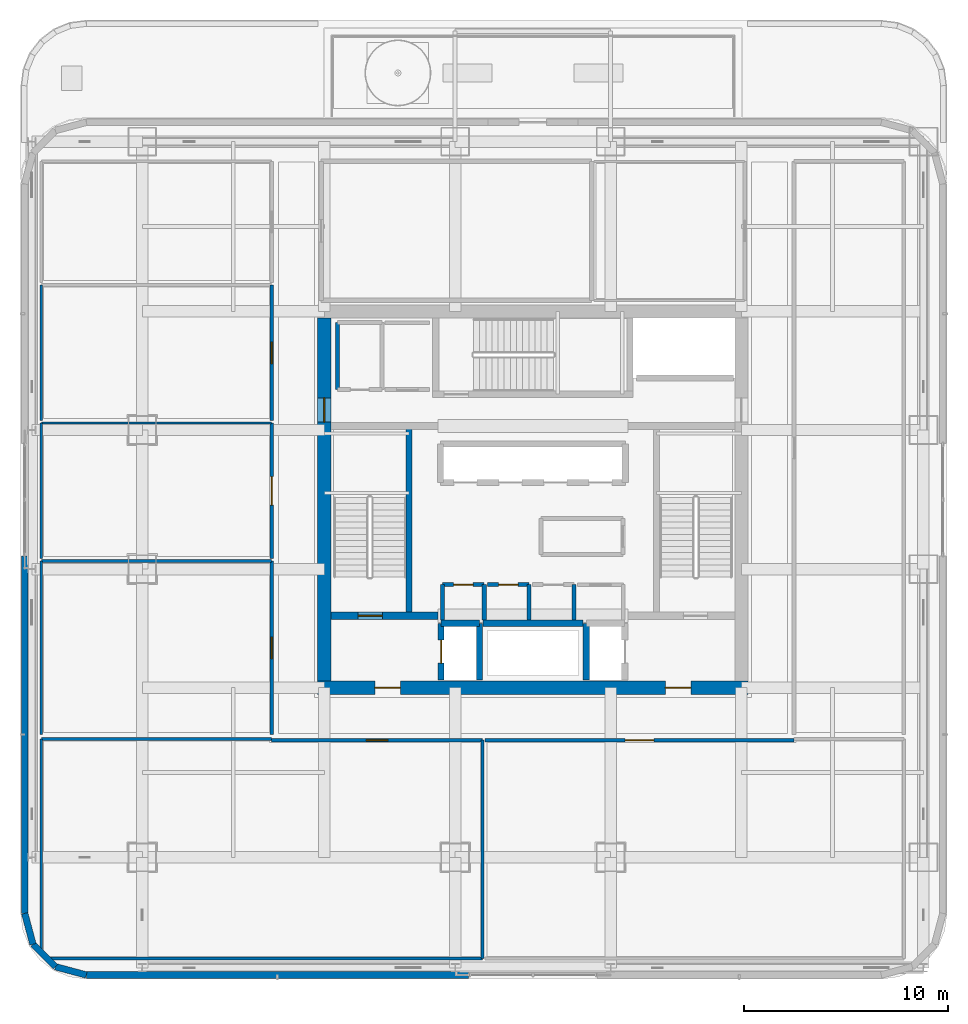
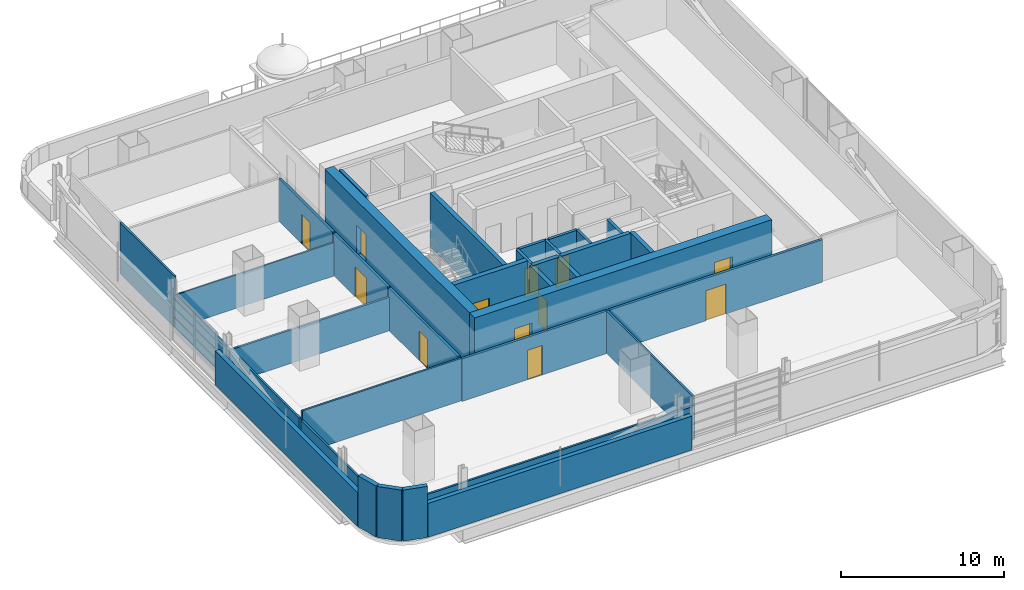
# One storey, part 10 of 29: 35 walls, 12 doors, 12 openings.
"""IFC4 building model written with IfcOpenShell, lengths in metres."""

from ifc_helpers import new_model, si_unit, direction, frame, frame_2d, origin, place, context, subcontext, project, spatial, rectangle, extrude, material, layer, layer_set, type_object, element, fill, save


model = new_model("IFC4")

# Units and contexts
model_context = context("Model", 3, precision=1e-05, world=origin(), true_north=direction((0.0, 1.0)))
body_context = subcontext(model_context, "Body", "Model", "MODEL_VIEW")
ifc_project = project(units=[si_unit("LENGTHUNIT", "METRE"), si_unit("AREAUNIT", "SQUARE_METRE"), si_unit("VOLUMEUNIT", "CUBIC_METRE"), si_unit("PLANEANGLEUNIT", "RADIAN"), si_unit("MASSUNIT", "GRAM", prefix="KILO")], contexts=[model_context])

# Site, building, storey
site_placement = place(None, origin())
site = spatial("IfcSite", under=ifc_project, at=site_placement, CompositionType="ELEMENT")
building_placement = place(site_placement, origin())
building = spatial("IfcBuilding", under=site, at=building_placement, Name="Punatoya Terracotta Tower", CompositionType="ELEMENT")
storey_placement = place(building_placement, frame((0.0, 0.0, 172.199951171875)))
storey = spatial("IfcBuildingStorey", under=building, at=storey_placement, Name="L40", CompositionType="ELEMENT", Elevation=172.199951171875)

# Wall, openings, doors
ifc_material_1 = material(Name="Concrete C60/75", Category="concrete")
ifc_layer_1 = layer(ifc_material_1, 0.64990234375)
ifc_layer_set_1 = layer_set([ifc_layer_1], Name="Concrete C60/75")
wall_type_1 = type_object("IfcWallType", Name="WL-COR-650", PredefinedType="SHEAR", material=ifc_layer_set_1)
wall_1_placement = place(storey_placement, frame((10.52490234375, -9.199951171875, 0.0), z_axis=(0.0, 0.0, 1.0), x_axis=(-1.0, 0.0, 0.0)))
wall_1 = element("IfcWall", 1, at=wall_1_placement, inside=storey, type_object=wall_type_1, Name="L40 Core Shear Wall S", PredefinedType="SHEAR", context=body_context, shape_type="SweptSolid", body=[
    extrude(rectangle(XDim=21.0498046875, YDim=0.64990234375, at=frame_2d((10.52490234375, 0.0))), origin(), (0.0, 0.0, 1.0), 4.050048828125),
])
opening_1_placement = place(wall_1_placement, frame((2.800048828125, 0.0, 0.0)))
opening_1 = element("IfcOpeningElement", 2, at=opening_1_placement, cuts=wall_1, Name="Opening FD-L1", PredefinedType="OPENING", context=body_context, shape_type="SweptSolid", body=[
    extrude(rectangle(XDim=1.25, YDim=2.25, at=frame_2d((0.625, 1.125))), frame((0.0, 0.3349609375, 0.0), z_axis=(0.0, -1.0, 0.0), x_axis=(1.0, 0.0, 0.0)), (0.0, 0.0, 1.0), 0.669921875),
])
opening_2_placement = place(wall_1_placement, frame((17.0, 0.0, 0.0)))
opening_2 = element("IfcOpeningElement", 3, at=opening_2_placement, cuts=wall_1, Name="Opening FD-L1", PredefinedType="OPENING", context=body_context, shape_type="SweptSolid", body=[
    extrude(rectangle(XDim=1.25, YDim=2.25, at=frame_2d((0.625, 1.125))), frame((0.0, 0.3349609375, 0.0), z_axis=(0.0, -1.0, 0.0), x_axis=(1.0, 0.0, 0.0)), (0.0, 0.0, 1.0), 0.669921875),
])
ifc_material_2 = material(Name="Galvanised Steel Smokeproof Fire Door", Category="steel")
door_type_1 = type_object("IfcDoorType", Name="DR-FFL-1250", OperationType="NOTDEFINED", PredefinedType="DOOR", material=ifc_material_2)
door_1_placement = place(opening_1_placement, origin())
door_1 = element("IfcDoor", 4, at=door_1_placement, inside=storey, type_object=door_type_1, Name="L40 East Firefighting Lobby Corridor Fire Door", OperationType="SINGLE_SWING_LEFT", OverallHeight=2.25, OverallWidth=1.25, PredefinedType="DOOR", context=body_context, shape_type="SweptSolid", body=[
    extrude(rectangle(XDim=1.25, YDim=2.25, at=frame_2d((0.625, 1.125))), frame((0.0, 0.02490234375, 0.0), z_axis=(0.0, -1.0, 0.0), x_axis=(1.0, 0.0, 0.0)), (0.0, 0.0, 1.0), 0.050048828125),
])
fill(opening_1, door_1)
door_2_placement = place(opening_2_placement, origin())
door_2 = element("IfcDoor", 5, at=door_2_placement, inside=storey, type_object=door_type_1, Name="L40 West Firefighting Lobby Corridor Fire Door", OperationType="SINGLE_SWING_RIGHT", OverallHeight=2.25, OverallWidth=1.25, PredefinedType="DOOR", context=body_context, shape_type="SweptSolid", body=[
    extrude(rectangle(XDim=1.25, YDim=2.25, at=frame_2d((0.625, 1.125))), frame((0.0, 0.02490234375, 0.0), z_axis=(0.0, -1.0, 0.0), x_axis=(1.0, 0.0, 0.0)), (0.0, 0.0, 1.0), 0.050048828125),
])
fill(opening_2, door_2)

# Wall, opening, door
wall_2_placement = place(storey_placement, frame((-10.199951171875, -8.875, 0.0), z_axis=(0.0, 0.0, 1.0), x_axis=(0.0, 1.0, 0.0)))
wall_2 = element("IfcWall", 6, at=wall_2_placement, inside=storey, type_object=wall_type_1, Name="L40 Core Shear Wall W", PredefinedType="SHEAR", context=body_context, shape_type="SweptSolid", body=[
    extrude(rectangle(XDim=17.75, YDim=0.64990234375, at=frame_2d((8.875, 0.0))), origin(), (0.0, 0.0, 1.0), 4.050048828125),
])
opening_3_placement = place(wall_2_placement, frame((12.6650390625, 0.0, 0.0)))
opening_3 = element("IfcOpeningElement", 7, at=opening_3_placement, cuts=wall_2, Name="Opening SD-01", PredefinedType="OPENING", context=body_context, shape_type="SweptSolid", body=[
    extrude(rectangle(XDim=1.179931640625, YDim=2.199951171875, at=frame_2d((0.58984375, 1.10009765625))), frame((0.0, 0.3349609375, 0.0), z_axis=(0.0, -1.0, 0.0), x_axis=(1.0, 0.0, 0.0)), (0.0, 0.0, 1.0), 0.669921875),
])
ifc_material_3 = material(Name="Galvanised Steel Pressurized Stair Fire Door", Category="steel")
door_type_2 = type_object("IfcDoorType", Name="DR-STR-1180", OperationType="NOTDEFINED", PredefinedType="DOOR", material=ifc_material_3)
door_3_placement = place(opening_3_placement, origin())
door_3 = element("IfcDoor", 8, at=door_3_placement, inside=storey, type_object=door_type_2, Name="L40 Central Lift Lobby West Fire Door", OperationType="SINGLE_SWING_LEFT", OverallHeight=2.199951171875, OverallWidth=1.179931640625, PredefinedType="DOOR", context=body_context, shape_type="SweptSolid", body=[
    extrude(rectangle(XDim=1.179931640625, YDim=2.199951171875, at=frame_2d((0.58984375, 1.10009765625))), frame((0.0, 0.02490234375, 0.0), z_axis=(0.0, -1.0, 0.0), x_axis=(1.0, 0.0, 0.0)), (0.0, 0.0, 1.0), 0.050048828125),
])
fill(opening_3, door_3)

ifc_material_4 = material(Name="Gypsum Fireboard + Steel Stud", Category="steel")
ifc_layer_2 = layer(ifc_material_4, 0.179931640625)
ifc_layer_set_2 = layer_set([ifc_layer_2], Name="Gypsum Fireboard + Steel Stud")
wall_type_2 = type_object("IfcWallType", Name="WL-CORR-180", PredefinedType="PARTITIONING", material=ifc_layer_set_2)
wall_3_placement = place(storey_placement, frame((-12.77001953125, -11.77001953125, 0.0), z_axis=(0.0, 0.0, 1.0), x_axis=(1.0, 0.0, 0.0)))
wall_3 = element("IfcWall", 9, at=wall_3_placement, inside=storey, type_object=wall_type_2, Name="L40 Client Media Salon Partition 20", PredefinedType="PARTITIONING", context=body_context, shape_type="SweptSolid", body=[
    extrude(rectangle(XDim=10.31005859375, YDim=0.179931640625, at=frame_2d((5.155029296875, 0.0))), origin(), (0.0, 0.0, 1.0), 3.174072265625),
])
opening_4_placement = place(wall_3_placement, frame((4.6298828125, 0.0, 0.0)))
opening_4 = element("IfcOpeningElement", 10, at=opening_4_placement, cuts=wall_3, Name="Opening OD-01", PredefinedType="OPENING", context=body_context, shape_type="SweptSolid", body=[
    extrude(rectangle(XDim=1.050048828125, YDim=2.199951171875, at=frame_2d((0.52490234375, 1.10009765625))), frame((0.0, 0.099853515625, 0.0), z_axis=(0.0, -1.0, 0.0), x_axis=(1.0, 0.0, 0.0)), (0.0, 0.0, 1.0), 0.199951171875),
])
ifc_material_5 = material(Name="Bengal Teak Solid-Core Leaf")
door_type_3 = type_object("IfcDoorType", Name="DR-OFF-1050", OperationType="NOTDEFINED", PredefinedType="DOOR", material=ifc_material_5)
door_4_placement = place(opening_4_placement, origin())
door_4 = element("IfcDoor", 11, at=door_4_placement, inside=storey, type_object=door_type_3, Name="L40 Client Media Salon Door", OperationType="SINGLE_SWING_RIGHT", OverallHeight=2.199951171875, OverallWidth=1.050048828125, PredefinedType="DOOR", context=body_context, shape_type="SweptSolid", body=[
    extrude(rectangle(XDim=1.050048828125, YDim=2.199951171875, at=frame_2d((0.52490234375, 1.10009765625))), frame((0.0, 0.02490234375, 0.0), z_axis=(0.0, -1.0, 0.0), x_axis=(1.0, 0.0, 0.0)), (0.0, 0.0, 1.0), 0.050048828125),
])
fill(opening_4, door_4)

wall_4_placement = place(storey_placement, frame((-2.340087890625, -11.77001953125, 0.0), z_axis=(0.0, 0.0, 1.0), x_axis=(1.0, 0.0, 0.0)))
wall_4 = element("IfcWall", 12, at=wall_4_placement, inside=storey, type_object=wall_type_2, Name="L40 Media Broadcast Studio Partition 25", PredefinedType="PARTITIONING", context=body_context, shape_type="SweptSolid", body=[
    extrude(rectangle(XDim=15.110107421875, YDim=0.179931640625, at=frame_2d((7.55517578125, 0.0))), origin(), (0.0, 0.0, 1.0), 3.174072265625),
])
opening_5_placement = place(wall_4_placement, frame((6.85498046875, 0.0, 0.0)))
opening_5 = element("IfcOpeningElement", 13, at=opening_5_placement, cuts=wall_4, Name="Opening BD-01", PredefinedType="OPENING", context=body_context, shape_type="SweptSolid", body=[
    extrude(rectangle(XDim=1.39990234375, YDim=2.25, at=frame_2d((0.699951171875, 1.125))), frame((0.0, 0.099853515625, 0.0), z_axis=(0.0, -1.0, 0.0), x_axis=(1.0, 0.0, 0.0)), (0.0, 0.0, 1.0), 0.199951171875),
])
ifc_material_6 = material(Name="Bengal Teak Acoustic Leaf")
door_type_4 = type_object("IfcDoorType", Name="DR-BRD-1400", OperationType="NOTDEFINED", PredefinedType="DOOR", material=ifc_material_6)
door_5_placement = place(opening_5_placement, origin())
door_5 = element("IfcDoor", 14, at=door_5_placement, inside=storey, type_object=door_type_4, Name="L40 Media Broadcast Studio Door", OperationType="SINGLE_SWING_LEFT", OverallHeight=2.25, OverallWidth=1.39990234375, PredefinedType="DOOR", context=body_context, shape_type="SweptSolid", body=[
    extrude(rectangle(XDim=1.39990234375, YDim=2.25, at=frame_2d((0.699951171875, 1.125))), frame((0.0, 0.02490234375, 0.0), z_axis=(0.0, -1.0, 0.0), x_axis=(1.0, 0.0, 0.0)), (0.0, 0.0, 1.0), 0.050048828125),
])
fill(opening_5, door_5)

wall_5_placement = place(storey_placement, frame((-12.77001953125, -3.013916015625, 0.0), z_axis=(0.0, 0.0, 1.0), x_axis=(0.0, -1.0, 0.0)))
wall_5 = element("IfcWall", 15, at=wall_5_placement, inside=storey, type_object=wall_type_2, Name="L40 Open-Plan Graphic Design Workplace Partition 30", PredefinedType="PARTITIONING", context=body_context, shape_type="SweptSolid", body=[
    extrude(rectangle(XDim=8.47607421875, YDim=0.179931640625, at=frame_2d((4.238037109375, 0.0))), origin(), (0.0, 0.0, 1.0), 3.174072265625),
])
opening_6_placement = place(wall_5_placement, frame((3.712890625, 0.0, 0.0)))
opening_6 = element("IfcOpeningElement", 16, at=opening_6_placement, cuts=wall_5, Name="Opening OD-01", PredefinedType="OPENING", context=body_context, shape_type="SweptSolid", body=[
    extrude(rectangle(XDim=1.050048828125, YDim=2.199951171875, at=frame_2d((0.52490234375, 1.10009765625))), frame((0.0, 0.099853515625, 0.0), z_axis=(0.0, -1.0, 0.0), x_axis=(1.0, 0.0, 0.0)), (0.0, 0.0, 1.0), 0.199951171875),
])
door_6_placement = place(opening_6_placement, origin())
door_6 = element("IfcDoor", 17, at=door_6_placement, inside=storey, type_object=door_type_3, Name="L40 Open-Plan Graphic Design Workplace Door", OperationType="SINGLE_SWING_RIGHT", OverallHeight=2.199951171875, OverallWidth=1.050048828125, PredefinedType="DOOR", context=body_context, shape_type="SweptSolid", body=[
    extrude(rectangle(XDim=1.050048828125, YDim=2.199951171875, at=frame_2d((0.52490234375, 1.10009765625))), frame((0.0, 0.02490234375, 0.0), z_axis=(0.0, -1.0, 0.0), x_axis=(1.0, 0.0, 0.0)), (0.0, 0.0, 1.0), 0.050048828125),
])
fill(opening_6, door_6)

wall_6_placement = place(storey_placement, frame((-12.77001953125, 3.739990234375, 0.0), z_axis=(0.0, 0.0, 1.0), x_axis=(0.0, -1.0, 0.0)))
wall_6 = element("IfcWall", 18, at=wall_6_placement, inside=storey, type_object=wall_type_2, Name="L40 Open-Plan Press Briefing Room Partition 33", PredefinedType="PARTITIONING", context=body_context, shape_type="SweptSolid", body=[
    extrude(rectangle(XDim=6.634033203125, YDim=0.179931640625, at=frame_2d((3.31689453125, 0.0))), origin(), (0.0, 0.0, 1.0), 3.174072265625),
])
opening_7_placement = place(wall_6_placement, frame((2.616943359375, 0.0, 0.0)))
opening_7 = element("IfcOpeningElement", 19, at=opening_7_placement, cuts=wall_6, Name="Opening BD-01", PredefinedType="OPENING", context=body_context, shape_type="SweptSolid", body=[
    extrude(rectangle(XDim=1.39990234375, YDim=2.25, at=frame_2d((0.699951171875, 1.125))), frame((0.0, 0.099853515625, 0.0), z_axis=(0.0, -1.0, 0.0), x_axis=(1.0, 0.0, 0.0)), (0.0, 0.0, 1.0), 0.199951171875),
])
door_7_placement = place(opening_7_placement, origin())
door_7 = element("IfcDoor", 20, at=door_7_placement, inside=storey, type_object=door_type_4, Name="L40 Open-Plan Press Briefing Room Door", OperationType="SINGLE_SWING_LEFT", OverallHeight=2.25, OverallWidth=1.39990234375, PredefinedType="DOOR", context=body_context, shape_type="SweptSolid", body=[
    extrude(rectangle(XDim=1.39990234375, YDim=2.25, at=frame_2d((0.699951171875, 1.125))), frame((0.0, 0.02490234375, 0.0), z_axis=(0.0, -1.0, 0.0), x_axis=(1.0, 0.0, 0.0)), (0.0, 0.0, 1.0), 0.050048828125),
])
fill(opening_7, door_7)

wall_7_placement = place(storey_placement, frame((-12.77001953125, 10.493896484375, 0.0), z_axis=(0.0, 0.0, 1.0), x_axis=(0.0, -1.0, 0.0)))
wall_7 = element("IfcWall", 21, at=wall_7_placement, inside=storey, type_object=wall_type_2, Name="L40 Acoustic Wellness Room Partition 39", PredefinedType="PARTITIONING", context=body_context, shape_type="SweptSolid", body=[
    extrude(rectangle(XDim=6.6337890625, YDim=0.179931640625, at=frame_2d((3.31689453125, 0.0))), origin(), (0.0, 0.0, 1.0), 3.174072265625),
])
opening_8_placement = place(wall_7_placement, frame((2.7919921875, 0.0, 0.0)))
opening_8 = element("IfcOpeningElement", 22, at=opening_8_placement, cuts=wall_7, Name="Opening OD-01", PredefinedType="OPENING", context=body_context, shape_type="SweptSolid", body=[
    extrude(rectangle(XDim=1.050048828125, YDim=2.199951171875, at=frame_2d((0.52490234375, 1.10009765625))), frame((0.0, 0.099853515625, 0.0), z_axis=(0.0, -1.0, 0.0), x_axis=(1.0, 0.0, 0.0)), (0.0, 0.0, 1.0), 0.199951171875),
])
door_8_placement = place(opening_8_placement, origin())
door_8 = element("IfcDoor", 23, at=door_8_placement, inside=storey, type_object=door_type_3, Name="L40 Acoustic Wellness Room Door", OperationType="SINGLE_SWING_LEFT", OverallHeight=2.199951171875, OverallWidth=1.050048828125, PredefinedType="DOOR", context=body_context, shape_type="SweptSolid", body=[
    extrude(rectangle(XDim=1.050048828125, YDim=2.199951171875, at=frame_2d((0.52490234375, 1.10009765625))), frame((0.0, 0.02490234375, 0.0), z_axis=(0.0, -1.0, 0.0), x_axis=(1.0, 0.0, 0.0)), (0.0, 0.0, 1.0), 0.050048828125),
])
fill(opening_8, door_8)

# Walls
ifc_material_7 = material(Name="Precast concrete C40/50", Category="concrete")
ifc_layer_3 = layer(ifc_material_7, 0.320068359375)
ifc_layer_set_3 = layer_set([ifc_layer_3], Name="Precast concrete C40/50")
wall_type_3 = type_object("IfcWallType", Name="WL-EXT-320", PredefinedType="SOLIDWALL", material=ifc_layer_set_3)
wall_8_placement = place(storey_placement, frame((-21.8369140625, -23.25, 0.0), z_axis=(0.0, 0.0, 1.0), x_axis=(1.0, 0.0, 0.0)))
element("IfcWall", 24, at=wall_8_placement, inside=storey, type_object=wall_type_3, Name="L40 Terracotta Braced Facade Wall S1", PredefinedType="SOLIDWALL", context=body_context, shape_type="SweptSolid", body=[
    extrude(rectangle(XDim=18.68701171875, YDim=0.320068359375, at=frame_2d((9.343505859375, 0.0))), origin(), (0.0, 0.0, 1.0), 2.5439453125),
])
wall_9_placement = place(storey_placement, frame((-24.85009765625, -2.75, 0.0), z_axis=(0.0, 0.0, 1.0), x_axis=(0.0, -1.0, 0.0)))
element("IfcWall", 25, at=wall_9_placement, inside=storey, type_object=wall_type_3, Name="L40 Terracotta Braced Facade Wall W2", PredefinedType="SOLIDWALL", context=body_context, shape_type="SweptSolid", body=[
    extrude(rectangle(XDim=17.48681640625, YDim=0.320068359375, at=frame_2d((8.743408203125, 0.0))), origin(), (0.0, 0.0, 1.0), 2.5439453125),
])
wall_10_placement = place(storey_placement, frame((-24.85009765625, -20.23681640625, 0.0), z_axis=(0.0, 0.0, 1.0), x_axis=(0.257847112249, -0.966185730957, 0.0)))
element("IfcWall", 26, at=wall_10_placement, inside=storey, type_object=wall_type_3, Name="L40 Rounded Terracotta Corner Pier 14", PredefinedType="SOLIDWALL", context=body_context, shape_type="SweptSolid", body=[
    extrude(rectangle(XDim=1.565185546875, YDim=0.320068359375, at=frame_2d((0.78271484375, 0.0))), origin(), (0.0, 0.0, 1.0), 3.830078125),
])
wall_11_placement = place(storey_placement, frame((-24.446533203125, -21.7490234375, 0.0), z_axis=(0.0, 0.0, 1.0), x_axis=(0.707028130747, -0.707185422879, 0.0)))
element("IfcWall", 27, at=wall_11_placement, inside=storey, type_object=wall_type_3, Name="L40 Rounded Terracotta Corner Pier 15", PredefinedType="SOLIDWALL", context=body_context, shape_type="SweptSolid", body=[
    extrude(rectangle(XDim=1.55224609375, YDim=0.320068359375, at=frame_2d((0.776123046875, 0.0))), origin(), (0.0, 0.0, 1.0), 3.830078125),
])
wall_12_placement = place(storey_placement, frame((-23.34912109375, -22.8466796875, 0.0), z_axis=(0.0, 0.0, 1.0), x_axis=(0.966224582397, -0.257701486942, 0.0)))
element("IfcWall", 28, at=wall_12_placement, inside=storey, type_object=wall_type_3, Name="L40 Rounded Terracotta Corner Pier 16", PredefinedType="SOLIDWALL", context=body_context, shape_type="SweptSolid", body=[
    extrude(rectangle(XDim=1.565185546875, YDim=0.320068359375, at=frame_2d((0.78271484375, 0.0))), origin(), (0.0, 0.0, 1.0), 3.830078125),
])
ifc_material_8 = material(Name="Aluminium Framed Acoustic Glass Partition", Category="aluminium")
ifc_layer_4 = layer(ifc_material_8, 0.10009765625)
ifc_layer_set_4 = layer_set([ifc_layer_4], Name="Aluminium Framed Acoustic Glass Partition")
wall_type_4 = type_object("IfcWallType", Name="WL-GLZ-100", PredefinedType="PARTITIONING", material=ifc_layer_set_4)
wall_13_placement = place(storey_placement, frame((-24.0400390625, 3.739990234375, 0.0), z_axis=(0.0, 0.0, 1.0), x_axis=(1.0, 0.0, 0.0)))
element("IfcWall", 29, at=wall_13_placement, inside=storey, type_object=wall_type_4, Name="L40 Open-Plan Press Briefing Room Partition 32", PredefinedType="PARTITIONING", context=body_context, shape_type="SweptSolid", body=[
    extrude(rectangle(XDim=11.27001953125, YDim=0.10009765625, at=frame_2d((5.635009765625, 0.0))), origin(), (0.0, 0.0, 1.0), 2.504150390625),
])
wall_14_placement = place(storey_placement, frame((-24.0400390625, -2.89404296875, 0.0), z_axis=(0.0, 0.0, 1.0), x_axis=(0.0, 1.0, 0.0)))
element("IfcWall", 30, at=wall_14_placement, inside=storey, type_object=wall_type_4, Name="L40 Open-Plan Press Briefing Room Partition 34", PredefinedType="PARTITIONING", context=body_context, shape_type="SweptSolid", body=[
    extrude(rectangle(XDim=6.634033203125, YDim=0.10009765625, at=frame_2d((3.31689453125, 0.0))), origin(), (0.0, 0.0, 1.0), 2.504150390625),
])
ifc_material_9 = material(Name="Concrete C40/50", Category="concrete")
ifc_layer_5 = layer(ifc_material_9, 0.199951171875)
ifc_layer_set_5 = layer_set([ifc_layer_5], Name="Concrete C40/50")
wall_type_5 = type_object("IfcWallType", Name="WL-INT-200", PredefinedType="SOLIDWALL", material=ifc_layer_set_5)
wall_15_placement = place(storey_placement, frame((-2.3798828125, -5.89990234375, 0.0), z_axis=(0.0, 0.0, 1.0), x_axis=(0.0, 1.0, 0.0)))
element("IfcWall", 31, at=wall_15_placement, inside=storey, type_object=wall_type_5, Name="L40 Male Washroom Partition 01", PredefinedType="SOLIDWALL", context=body_context, shape_type="SweptSolid", body=[
    extrude(rectangle(XDim=1.739990234375, YDim=0.199951171875, at=frame_2d((0.8701171875, 0.0))), origin(), (0.0, 0.0, 1.0), 3.830078125),
])

# Wall, opening, door
wall_16_placement = place(storey_placement, frame((-2.3798828125, -4.159912109375, 0.0), z_axis=(0.0, 0.0, 1.0), x_axis=(-1.0, 0.0, 0.0)))
wall_16 = element("IfcWall", 32, at=wall_16_placement, inside=storey, type_object=wall_type_5, Name="L40 Male Washroom Partition 02", PredefinedType="SOLIDWALL", context=body_context, shape_type="SweptSolid", body=[
    extrude(rectangle(XDim=2.0400390625, YDim=0.199951171875, at=frame_2d((1.02001953125, 0.0))), origin(), (0.0, 0.0, 1.0), 3.830078125),
])
opening_9_placement = place(wall_16_placement, frame((0.544921875, 0.0, 0.0)))
opening_9 = element("IfcOpeningElement", 33, at=opening_9_placement, cuts=wall_16, Name="Opening WD-01", PredefinedType="OPENING", context=body_context, shape_type="SweptSolid", body=[
    extrude(rectangle(XDim=0.949951171875, YDim=2.14990234375, at=frame_2d((0.47509765625, 1.074951171875))), frame((0.0, 0.10986328125, 0.0), z_axis=(0.0, -1.0, 0.0), x_axis=(1.0, 0.0, 0.0)), (0.0, 0.0, 1.0), 0.219970703125),
])
ifc_material_10 = material(Name="Moisture-Resistant Laminate Timber Leaf", Category="wood")
door_type_5 = type_object("IfcDoorType", Name="DR-WC-950", OperationType="NOTDEFINED", PredefinedType="DOOR", material=ifc_material_10)
door_9_placement = place(opening_9_placement, origin())
door_9 = element("IfcDoor", 34, at=door_9_placement, inside=storey, type_object=door_type_5, Name="L40 Male Washroom Door", OperationType="SINGLE_SWING_LEFT", OverallHeight=2.14990234375, OverallWidth=0.949951171875, PredefinedType="DOOR", context=body_context, shape_type="SweptSolid", body=[
    extrude(rectangle(XDim=0.949951171875, YDim=2.14990234375, at=frame_2d((0.47509765625, 1.074951171875))), frame((0.0, 0.02490234375, 0.0), z_axis=(0.0, -1.0, 0.0), x_axis=(1.0, 0.0, 0.0)), (0.0, 0.0, 1.0), 0.050048828125),
])
fill(opening_9, door_9)

# Walls
for number, where, z_axis, x_axis, name in (
    (35, (-4.419921875, -4.159912109375, 0.0), (0.0, 0.0, 1.0), (0.0, -1.0, 0.0), "L40 Male Washroom Partition 03"),
    (36, (-0.179931640625, -5.89990234375, 0.0), (0.0, 0.0, 1.0), (0.0, 1.0, 0.0), "L40 Female Washroom Partition 04"),
):
    element("IfcWall", number, at=place(storey_placement, frame(where, z_axis=z_axis, x_axis=x_axis)), inside=storey, type_object=wall_type_5, Name=name, PredefinedType="SOLIDWALL", context=body_context, shape_type="SweptSolid", body=[
        extrude(rectangle(XDim=1.739990234375, YDim=0.199951171875, at=frame_2d((0.8701171875, 0.0))), origin(), (0.0, 0.0, 1.0), 3.830078125),
    ])

# Wall, opening, door
wall_17_placement = place(storey_placement, frame((-0.179931640625, -4.159912109375, 0.0), z_axis=(0.0, 0.0, 1.0), x_axis=(-1.0, 0.0, 0.0)))
wall_17 = element("IfcWall", 37, at=wall_17_placement, inside=storey, type_object=wall_type_5, Name="L40 Female Washroom Partition 05", PredefinedType="SOLIDWALL", context=body_context, shape_type="SweptSolid", body=[
    extrude(rectangle(XDim=2.0400390625, YDim=0.199951171875, at=frame_2d((1.02001953125, 0.0))), origin(), (0.0, 0.0, 1.0), 3.830078125),
])
opening_10_placement = place(wall_17_placement, frame((0.544921875, 0.0, 0.0)))
opening_10 = element("IfcOpeningElement", 38, at=opening_10_placement, cuts=wall_17, Name="Opening WD-01", PredefinedType="OPENING", context=body_context, shape_type="SweptSolid", body=[
    extrude(rectangle(XDim=0.949951171875, YDim=2.14990234375, at=frame_2d((0.47509765625, 1.074951171875))), frame((0.0, 0.10986328125, 0.0), z_axis=(0.0, -1.0, 0.0), x_axis=(1.0, 0.0, 0.0)), (0.0, 0.0, 1.0), 0.219970703125),
])
door_10_placement = place(opening_10_placement, origin())
door_10 = element("IfcDoor", 39, at=door_10_placement, inside=storey, type_object=door_type_5, Name="L40 Female Washroom Door", OperationType="SINGLE_SWING_RIGHT", OverallHeight=2.14990234375, OverallWidth=0.949951171875, PredefinedType="DOOR", context=body_context, shape_type="SweptSolid", body=[
    extrude(rectangle(XDim=0.949951171875, YDim=2.14990234375, at=frame_2d((0.47509765625, 1.074951171875))), frame((0.0, 0.02490234375, 0.0), z_axis=(0.0, -1.0, 0.0), x_axis=(1.0, 0.0, 0.0)), (0.0, 0.0, 1.0), 0.050048828125),
])
fill(opening_10, door_10)

# Walls
wall_18_placement = place(storey_placement, frame((2.02001953125, -5.89990234375, 0.0), z_axis=(0.0, 0.0, 1.0), x_axis=(0.0, 1.0, 0.0)))
element("IfcWall", 40, at=wall_18_placement, inside=storey, type_object=wall_type_5, Name="L40 Accessible Universal Washroom Partition 06", PredefinedType="SOLIDWALL", context=body_context, shape_type="SweptSolid", body=[
    extrude(rectangle(XDim=1.739990234375, YDim=0.199951171875, at=frame_2d((0.8701171875, 0.0))), origin(), (0.0, 0.0, 1.0), 3.830078125),
])
wall_19_placement = place(storey_placement, frame((-9.550048828125, 8.64990234375, 0.0), z_axis=(0.0, 0.0, 1.0), x_axis=(0.0, -1.0, 0.0)))
element("IfcWall", 41, at=wall_19_placement, inside=storey, type_object=wall_type_5, Name="L40 West Core Archive Vault Partition 16", PredefinedType="SOLIDWALL", context=body_context, shape_type="SweptSolid", body=[
    extrude(rectangle(XDim=3.27001953125, YDim=0.199951171875, at=frame_2d((1.635009765625, 0.0))), origin(), (0.0, 0.0, 1.0), 3.830078125),
])
ifc_material_11 = material(Name="Acoustic Gypsum + Steel Stud", Category="steel")
ifc_layer_6 = layer(ifc_material_11, 0.139892578125)
ifc_layer_set_6 = layer_set([ifc_layer_6], Name="Acoustic Gypsum + Steel Stud")
wall_type_6 = type_object("IfcWallType", Name="WL-OFF-140", PredefinedType="PARTITIONING", material=ifc_layer_set_6)
wall_20_placement = place(storey_placement, frame((-2.4599609375, -11.77001953125, 0.0), z_axis=(0.0, 0.0, 1.0), x_axis=(0.0, -1.0, 0.0)))
element("IfcWall", 42, at=wall_20_placement, inside=storey, type_object=wall_type_6, Name="L40 Client Media Salon Partition 21", PredefinedType="PARTITIONING", context=body_context, shape_type="SweptSolid", body=[
    extrude(rectangle(XDim=10.669921875, YDim=0.139892578125, at=frame_2d((5.3349609375, 0.0))), origin(), (0.0, 0.0, 1.0), 3.174072265625),
])
wall_21_placement = place(storey_placement, frame((-2.4599609375, -22.43994140625, 0.0), z_axis=(0.0, 0.0, 1.0), x_axis=(-1.0, 0.0, 0.0)))
element("IfcWall", 43, at=wall_21_placement, inside=storey, type_object=wall_type_6, Name="L40 Client Media Salon Partition 22", PredefinedType="PARTITIONING", context=body_context, shape_type="SweptSolid", body=[
    extrude(rectangle(XDim=21.28759765625, YDim=0.139892578125, at=frame_2d((10.643798828125, 0.0))), origin(), (0.0, 0.0, 1.0), 2.504150390625),
])
wall_22_placement = place(storey_placement, frame((-24.0400390625, -22.1474609375, 0.0), z_axis=(0.0, 0.0, 1.0), x_axis=(0.0, 1.0, 0.0)))
element("IfcWall", 44, at=wall_22_placement, inside=storey, type_object=wall_type_6, Name="L40 Client Media Salon Partition 23", PredefinedType="PARTITIONING", context=body_context, shape_type="SweptSolid", body=[
    extrude(rectangle(XDim=10.4375, YDim=0.139892578125, at=frame_2d((5.21875, 0.0))), origin(), (0.0, 0.0, 1.0), 2.504150390625),
])
wall_23_placement = place(storey_placement, frame((-24.0400390625, -11.7099609375, 0.0), z_axis=(0.0, 0.0, 1.0), x_axis=(1.0, 0.0, 0.0)))
element("IfcWall", 45, at=wall_23_placement, inside=storey, type_object=wall_type_6, Name="L40 Client Media Salon Partition 24", PredefinedType="PARTITIONING", context=body_context, shape_type="SweptSolid", body=[
    extrude(rectangle(XDim=11.27001953125, YDim=0.139892578125, at=frame_2d((5.635009765625, 0.0))), origin(), (0.0, 0.0, 1.0), 3.174072265625),
])
wall_24_placement = place(storey_placement, frame((-24.0400390625, -3.013916015625, 0.0), z_axis=(0.0, 0.0, 1.0), x_axis=(1.0, 0.0, 0.0)))
element("IfcWall", 46, at=wall_24_placement, inside=storey, type_object=wall_type_6, Name="L40 Open-Plan Graphic Design Workplace Partition 29", PredefinedType="PARTITIONING", context=body_context, shape_type="SweptSolid", body=[
    extrude(rectangle(XDim=11.27001953125, YDim=0.139892578125, at=frame_2d((5.635009765625, 0.0))), origin(), (0.0, 0.0, 1.0), 2.504150390625),
])
wall_25_placement = place(storey_placement, frame((-24.0400390625, -11.489990234375, 0.0), z_axis=(0.0, 0.0, 1.0), x_axis=(0.0, 1.0, 0.0)))
element("IfcWall", 47, at=wall_25_placement, inside=storey, type_object=wall_type_6, Name="L40 Open-Plan Graphic Design Workplace Partition 31", PredefinedType="PARTITIONING", context=body_context, shape_type="SweptSolid", body=[
    extrude(rectangle(XDim=8.47607421875, YDim=0.139892578125, at=frame_2d((4.238037109375, 0.0))), origin(), (0.0, 0.0, 1.0), 2.504150390625),
])
wall_26_placement = place(storey_placement, frame((-24.0400390625, 3.860107421875, 0.0), z_axis=(0.0, 0.0, 1.0), x_axis=(0.0, 1.0, 0.0)))
element("IfcWall", 48, at=wall_26_placement, inside=storey, type_object=wall_type_6, Name="L40 Acoustic Wellness Room Partition 40", PredefinedType="PARTITIONING", context=body_context, shape_type="SweptSolid", body=[
    extrude(rectangle(XDim=6.6337890625, YDim=0.139892578125, at=frame_2d((3.31689453125, 0.0))), origin(), (0.0, 0.0, 1.0), 3.830078125),
])
ifc_layer_7 = layer(ifc_material_9, 0.300048828125)
ifc_layer_set_7 = layer_set([ifc_layer_7], Name="Concrete C40/50")
wall_type_7 = type_object("IfcWallType", Name="WL-SHF-300", PredefinedType="SOLIDWALL", material=ifc_layer_set_7)
wall_27_placement = place(storey_placement, frame((-6.050048828125, -5.5, 0.0), z_axis=(0.0, 0.0, 1.0), x_axis=(0.0, 1.0, 0.0)))
element("IfcWall", 49, at=wall_27_placement, inside=storey, type_object=wall_type_7, Name="L40 Structural Stair Shaft Wall SW-ST1-E", PredefinedType="SOLIDWALL", context=body_context, shape_type="SweptSolid", body=[
    extrude(rectangle(XDim=8.949951171875, YDim=0.300048828125, at=frame_2d((4.47509765625, 0.0))), origin(), (0.0, 0.0, 1.0), 4.050048828125),
])

# Wall, opening, door
wall_28_placement = place(storey_placement, frame((-4.489990234375, -8.820068359375, 0.0), z_axis=(0.0, 0.0, 1.0), x_axis=(0.0, 1.0, 0.0)))
wall_28 = element("IfcWall", 50, at=wall_28_placement, inside=storey, type_object=wall_type_7, Name="L40 FFL-1 Front Hoistway Wall", PredefinedType="SOLIDWALL", context=body_context, shape_type="SweptSolid", body=[
    extrude(rectangle(XDim=2.77001953125, YDim=0.300048828125, at=frame_2d((1.385009765625, 0.0))), origin(), (0.0, 0.0, 1.0), 3.830078125),
])
opening_11_placement = place(wall_28_placement, frame((0.824951171875, 0.0, 0.0)))
opening_11 = element("IfcOpeningElement", 51, at=opening_11_placement, cuts=wall_28, Name="Opening LD-02", PredefinedType="OPENING", context=body_context, shape_type="SweptSolid", body=[
    extrude(rectangle(XDim=1.1201171875, YDim=2.25, at=frame_2d((0.56005859375, 1.125))), frame((0.0, 0.159912109375, 0.0), z_axis=(0.0, -1.0, 0.0), x_axis=(1.0, 0.0, 0.0)), (0.0, 0.0, 1.0), 0.320068359375),
])
ifc_material_12 = material(Name="Stainless Steel Lift Landing Door", Category="steel")
door_type_6 = type_object("IfcDoorType", Name="DR-LND-1120", OperationType="NOTDEFINED", PredefinedType="DOOR", material=ifc_material_12)
door_11_placement = place(opening_11_placement, origin())
door_11 = element("IfcDoor", 52, at=door_11_placement, inside=storey, type_object=door_type_6, Name="L40 Firefighting Lift FFL-1 Sliding Landing Door", OperationType="SLIDING_TO_LEFT", OverallHeight=2.25, OverallWidth=1.1201171875, PredefinedType="DOOR", context=body_context, shape_type="SweptSolid", body=[
    extrude(rectangle(XDim=1.1201171875, YDim=2.25, at=frame_2d((0.56005859375, 1.125))), frame((0.0, 0.02490234375, 0.0), z_axis=(0.0, -1.0, 0.0), x_axis=(1.0, 0.0, 0.0)), (0.0, 0.0, 1.0), 0.050048828125),
])
fill(opening_11, door_11)

# Walls
wall_29_placement = place(storey_placement, frame((-2.610107421875, -8.820068359375, 0.0), z_axis=(0.0, 0.0, 1.0), x_axis=(0.0, 1.0, 0.0)))
element("IfcWall", 53, at=wall_29_placement, inside=storey, type_object=wall_type_7, Name="L40 FFL-1 Rear Hoistway Wall", PredefinedType="SOLIDWALL", context=body_context, shape_type="SweptSolid", body=[
    extrude(rectangle(XDim=2.77001953125, YDim=0.300048828125, at=frame_2d((1.385009765625, 0.0))), origin(), (0.0, 0.0, 1.0), 3.830078125),
])
wall_30_placement = place(storey_placement, frame((-4.489990234375, -6.050048828125, 0.0), z_axis=(0.0, 0.0, 1.0), x_axis=(1.0, 0.0, 0.0)))
element("IfcWall", 54, at=wall_30_placement, inside=storey, type_object=wall_type_7, Name="L40 FFL-1 North Hoistway Wall", PredefinedType="SOLIDWALL", context=body_context, shape_type="SweptSolid", body=[
    extrude(rectangle(XDim=1.8798828125, YDim=0.300048828125, at=frame_2d((0.93994140625, 0.0))), origin(), (0.0, 0.0, 1.0), 3.830078125),
])
wall_31_placement = place(storey_placement, frame((2.610107421875, -8.820068359375, 0.0), z_axis=(0.0, 0.0, 1.0), x_axis=(0.0, 1.0, 0.0)))
element("IfcWall", 55, at=wall_31_placement, inside=storey, type_object=wall_type_7, Name="L40 FFL-2 Rear Hoistway Wall", PredefinedType="SOLIDWALL", context=body_context, shape_type="SweptSolid", body=[
    extrude(rectangle(XDim=2.77001953125, YDim=0.300048828125, at=frame_2d((1.385009765625, 0.0))), origin(), (0.0, 0.0, 1.0), 3.830078125),
])
wall_32_placement = place(storey_placement, frame((-2.449951171875, -6.050048828125, 0.0), z_axis=(0.0, 0.0, 1.0), x_axis=(1.0, 0.0, 0.0)))
element("IfcWall", 56, at=wall_32_placement, inside=storey, type_object=wall_type_7, Name="L40 Observation Shuttle Rear Hoistway Wall", PredefinedType="SOLIDWALL", context=body_context, shape_type="SweptSolid", body=[
    extrude(rectangle(XDim=4.89990234375, YDim=0.300048828125, at=frame_2d((2.449951171875, 0.0))), origin(), (0.0, 0.0, 1.0), 3.830078125),
])

# Wall, opening, door
ifc_material_13 = material(Name="Concrete C50/60", Category="concrete")
ifc_layer_8 = layer(ifc_material_13, 0.35009765625)
ifc_layer_set_8 = layer_set([ifc_layer_8], Name="Concrete C50/60")
wall_type_8 = type_object("IfcWallType", Name="WL-SHF-350", PredefinedType="SOLIDWALL", material=ifc_layer_set_8)
wall_33_placement = place(storey_placement, frame((-9.875, -5.679931640625, 0.0), z_axis=(0.0, 0.0, 1.0), x_axis=(1.0, 0.0, 0.0)))
wall_33 = element("IfcWall", 57, at=wall_33_placement, inside=storey, type_object=wall_type_8, Name="L40 Core Web Wall CSW-L", PredefinedType="SOLIDWALL", context=body_context, shape_type="SweptSolid", body=[
    extrude(rectangle(XDim=5.22509765625, YDim=0.35009765625, at=frame_2d((2.612548828125, 0.0))), origin(), (0.0, 0.0, 1.0), 4.050048828125),
])
opening_12_placement = place(wall_33_placement, frame((1.3349609375, 0.0, 0.0)))
opening_12 = element("IfcOpeningElement", 58, at=opening_12_placement, cuts=wall_33, Name="Opening SD-01", PredefinedType="OPENING", context=body_context, shape_type="SweptSolid", body=[
    extrude(rectangle(XDim=1.179931640625, YDim=2.199951171875, at=frame_2d((0.58984375, 1.10009765625))), frame((0.0, 0.18505859375, 0.0), z_axis=(0.0, -1.0, 0.0), x_axis=(1.0, 0.0, 0.0)), (0.0, 0.0, 1.0), 0.3701171875),
])
door_12_placement = place(opening_12_placement, origin())
door_12 = element("IfcDoor", 59, at=door_12_placement, inside=storey, type_object=door_type_2, Name="L40 Stair ST-1 Smokeproof Lobby Fire Door", OperationType="SINGLE_SWING_LEFT", OverallHeight=2.199951171875, OverallWidth=1.179931640625, PredefinedType="DOOR", context=body_context, shape_type="SweptSolid", body=[
    extrude(rectangle(XDim=1.179931640625, YDim=2.199951171875, at=frame_2d((0.58984375, 1.10009765625))), frame((0.0, 0.02490234375, 0.0), z_axis=(0.0, -1.0, 0.0), x_axis=(1.0, 0.0, 0.0)), (0.0, 0.0, 1.0), 0.050048828125),
])
fill(opening_12, door_12)

save(model, "model.ifc")
